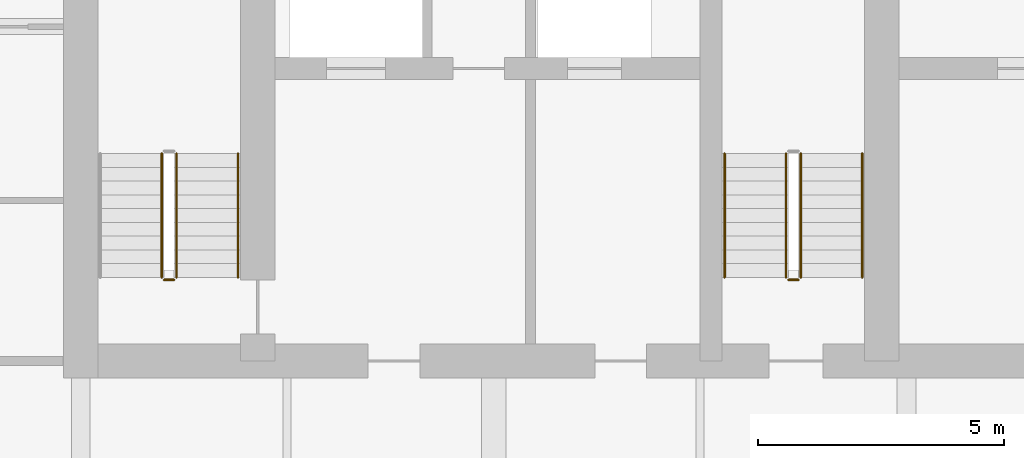
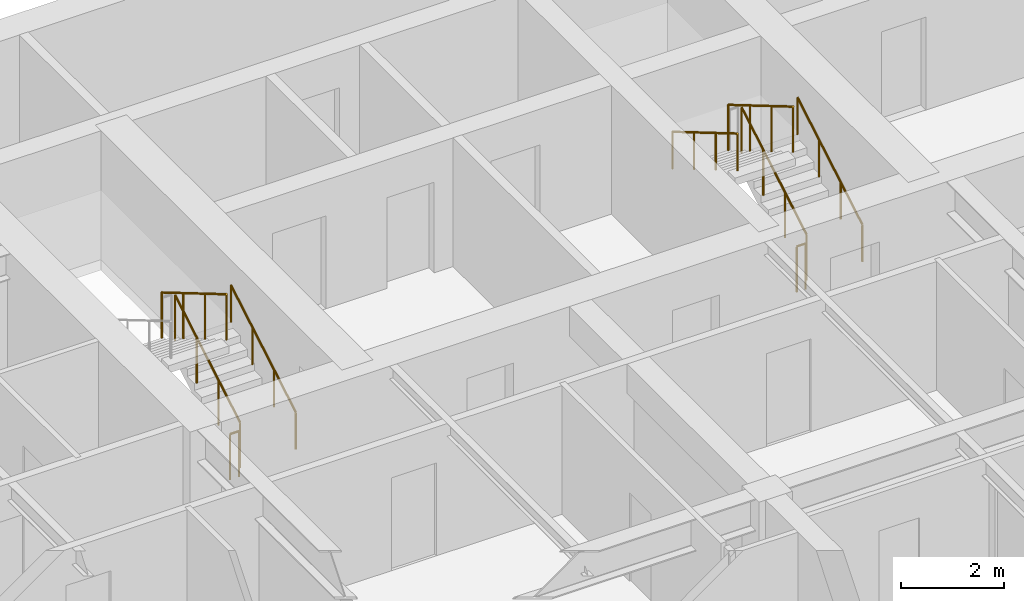
# One storey, part 14 of 17: 9 railings.
"""IFC4 building model written with IfcOpenShell, lengths in metres."""

from ifc_helpers import new_model, si_unit, direction, frame, origin, origin_2d, place, context, subcontext, project, spatial, circle, extrude, material, type_object, element, save


model = new_model("IFC4")

# Units and contexts
model_context = context("Model", 3, precision=1e-05, world=origin(), true_north=direction((0.0, 1.0)))
body_context = subcontext(model_context, "Body", "Model", "MODEL_VIEW")
ifc_project = project(units=[si_unit("LENGTHUNIT", "METRE"), si_unit("AREAUNIT", "SQUARE_METRE"), si_unit("VOLUMEUNIT", "CUBIC_METRE"), si_unit("PLANEANGLEUNIT", "RADIAN"), si_unit("MASSUNIT", "GRAM", prefix="KILO")], contexts=[model_context])

# Site, building, storey
site_placement = place(None, origin())
site = spatial("IfcSite", under=ifc_project, at=site_placement, CompositionType="ELEMENT")
building_placement = place(site_placement, origin())
building = spatial("IfcBuilding", under=site, at=building_placement, Name="Caelmar Bay Residences", CompositionType="ELEMENT")
storey_placement = place(building_placement, frame((0.0, 0.0, 226.5)))
storey = spatial("IfcBuildingStorey", under=building, at=storey_placement, Name="L63", CompositionType="ELEMENT", Elevation=226.5)

# Railings
ifc_material_1 = material(Name="Painted galvanized steel stair guard 1100 mm", Category="steel")
railing_type_1 = type_object("IfcRailingType", Name="RL-GRD-1100", PredefinedType="GUARDRAIL", material=ifc_material_1)
railing_1_placement = place(storey_placement, frame((20.25, 38.699951171875, 0.1650390625)))
element("IfcRailing", 1, at=railing_1_placement, inside=storey, type_object=railing_type_1, Name="L63 ST1 stair guard 1", PredefinedType="GUARDRAIL", context=body_context, shape_type="SweptSolid", body=[
    extrude(circle(Radius=0.02392578125, at=origin_2d()), frame((0.0, 0.0, 1.076171875), z_axis=(0.0, 0.861560626758, 0.507654692109), x_axis=(-1.0, 0.0, 0.0)), (0.0, 0.0, 1.0), 2.925048828125),
    extrude(circle(Radius=0.02099609375, at=origin_2d()), origin(), (0.0, 0.0, 1.0), 1.052001953125),
    extrude(circle(Radius=0.02099609375, at=origin_2d()), frame((0.0, 0.840087890625, 0.494873046875)), (0.0, 0.0, 1.0), 1.052001953125),
    extrude(circle(Radius=0.02099609375, at=origin_2d()), frame((0.0, 1.679931640625, 0.989990234375)), (0.0, 0.0, 1.0), 1.052001953125),
    extrude(circle(Radius=0.02099609375, at=origin_2d()), frame((0.0, 2.52001953125, 1.48486328125)), (0.0, 0.0, 1.0), 1.052001953125),
])
railing_2_placement = place(storey_placement, frame((19.949951171875, 41.219970703125, 1.81494140625)))
element("IfcRailing", 2, at=railing_2_placement, inside=storey, type_object=railing_type_1, Name="L63 ST1 stair guard 3", PredefinedType="GUARDRAIL", context=body_context, shape_type="SweptSolid", body=[
    extrude(circle(Radius=0.02392578125, at=origin_2d()), frame((0.0, 0.0, 1.076171875), z_axis=(0.0, -0.86152411907, 0.507716645641), x_axis=(1.0, 0.0, 0.0)), (0.0, 0.0, 1.0), 2.925048828125),
    extrude(circle(Radius=0.02099609375, at=origin_2d()), origin(), (0.0, 0.0, 1.0), 1.052001953125),
    extrude(circle(Radius=0.02099609375, at=origin_2d()), frame((0.0, -0.840087890625, 0.4951171875)), (0.0, 0.0, 1.0), 1.052001953125),
    extrude(circle(Radius=0.02099609375, at=origin_2d()), frame((0.0, -1.679931640625, 0.989990234375)), (0.0, 0.0, 1.0), 1.052001953125),
    extrude(circle(Radius=0.02099609375, at=origin_2d()), frame((0.0, -2.52001953125, 1.485107421875)), (0.0, 0.0, 1.0), 1.052001953125),
])
railing_3_placement = place(storey_placement, frame((20.199951171875, 38.64990234375, 0.0)))
element("IfcRailing", 3, at=railing_3_placement, inside=storey, type_object=railing_type_1, Name="L63 ST1 stair guard 4", PredefinedType="GUARDRAIL", context=body_context, shape_type="SweptSolid", body=[
    extrude(circle(Radius=0.02392578125, at=origin_2d()), frame((0.0, 0.0, 1.076171875), z_axis=(-1.0, 0.0, 0.0), x_axis=(0.0, -1.0, 0.0)), (0.0, 0.0, 1.0), 0.199951171875),
    extrude(circle(Radius=0.02099609375, at=origin_2d()), origin(), (0.0, 0.0, 1.0), 1.052001953125),
    extrude(circle(Radius=0.02099609375, at=origin_2d()), frame((-0.199951171875, 0.0, 0.0)), (0.0, 0.0, 1.0), 1.052001953125),
])
railing_4_placement = place(storey_placement, frame((32.949951171875, 38.699951171875, 0.1650390625)))
element("IfcRailing", 4, at=railing_4_placement, inside=storey, type_object=railing_type_1, Name="L63 ST3 stair guard 1", PredefinedType="GUARDRAIL", context=body_context, shape_type="SweptSolid", body=[
    extrude(circle(Radius=0.02392578125, at=origin_2d()), frame((0.0, 0.0, 1.076171875), z_axis=(0.0, 0.861560626758, 0.507654692109), x_axis=(-1.0, 0.0, 0.0)), (0.0, 0.0, 1.0), 2.925048828125),
    extrude(circle(Radius=0.02099609375, at=origin_2d()), origin(), (0.0, 0.0, 1.0), 1.052001953125),
    extrude(circle(Radius=0.02099609375, at=origin_2d()), frame((0.0, 0.840087890625, 0.494873046875)), (0.0, 0.0, 1.0), 1.052001953125),
    extrude(circle(Radius=0.02099609375, at=origin_2d()), frame((0.0, 1.679931640625, 0.989990234375)), (0.0, 0.0, 1.0), 1.052001953125),
    extrude(circle(Radius=0.02099609375, at=origin_2d()), frame((0.0, 2.52001953125, 1.48486328125)), (0.0, 0.0, 1.0), 1.052001953125),
])
railing_5_placement = place(storey_placement, frame((32.64990234375, 41.219970703125, 1.81494140625)))
element("IfcRailing", 5, at=railing_5_placement, inside=storey, type_object=railing_type_1, Name="L63 ST3 stair guard 3", PredefinedType="GUARDRAIL", context=body_context, shape_type="SweptSolid", body=[
    extrude(circle(Radius=0.02392578125, at=origin_2d()), frame((0.0, 0.0, 1.076171875), z_axis=(0.0, -0.86152411907, 0.507716645641), x_axis=(1.0, 0.0, 0.0)), (0.0, 0.0, 1.0), 2.925048828125),
    extrude(circle(Radius=0.02099609375, at=origin_2d()), origin(), (0.0, 0.0, 1.0), 1.052001953125),
    extrude(circle(Radius=0.02099609375, at=origin_2d()), frame((0.0, -0.840087890625, 0.4951171875)), (0.0, 0.0, 1.0), 1.052001953125),
    extrude(circle(Radius=0.02099609375, at=origin_2d()), frame((0.0, -1.679931640625, 0.989990234375)), (0.0, 0.0, 1.0), 1.052001953125),
    extrude(circle(Radius=0.02099609375, at=origin_2d()), frame((0.0, -2.52001953125, 1.485107421875)), (0.0, 0.0, 1.0), 1.052001953125),
])
railing_6_placement = place(storey_placement, frame((32.89990234375, 38.64990234375, 0.0)))
element("IfcRailing", 6, at=railing_6_placement, inside=storey, type_object=railing_type_1, Name="L63 ST3 stair guard 4", PredefinedType="GUARDRAIL", context=body_context, shape_type="SweptSolid", body=[
    extrude(circle(Radius=0.02392578125, at=origin_2d()), frame((0.0, 0.0, 1.076171875), z_axis=(-1.0, 0.0, 0.0), x_axis=(0.0, -1.0, 0.0)), (0.0, 0.0, 1.0), 0.199951171875),
    extrude(circle(Radius=0.02099609375, at=origin_2d()), origin(), (0.0, 0.0, 1.0), 1.052001953125),
    extrude(circle(Radius=0.02099609375, at=origin_2d()), frame((-0.199951171875, 0.0, 0.0)), (0.0, 0.0, 1.0), 1.052001953125),
])
ifc_material_2 = material(Name="Brushed bronze stainless-steel tubular handrail 900 mm", Category="steel")
railing_type_2 = type_object("IfcRailingType", Name="RL-HND-900", PredefinedType="HANDRAIL", material=ifc_material_2)
for number, where, name in (
    (7, (21.5, 38.699951171875, 0.1650390625), "L63 ST1 stair handrail 1"),
    (8, (34.199951171875, 38.699951171875, 0.1650390625), "L63 ST3 stair handrail 1"),
):
    element("IfcRailing", number, at=place(storey_placement, frame(where)), inside=storey, type_object=railing_type_2, Name=name, PredefinedType="HANDRAIL", context=body_context, shape_type="SweptSolid", body=[
        extrude(circle(Radius=0.02392578125, at=origin_2d()), frame((0.0, 0.0, 0.8759765625), z_axis=(0.0, 0.861560626758, 0.507654692109), x_axis=(-1.0, 0.0, 0.0)), (0.0, 0.0, 1.0), 2.925048828125),
        extrude(circle(Radius=0.02099609375, at=origin_2d()), origin(), (0.0, 0.0, 1.0), 0.851806640625),
        extrude(circle(Radius=0.02099609375, at=origin_2d()), frame((0.0, 0.840087890625, 0.494873046875)), (0.0, 0.0, 1.0), 0.851806640625),
        extrude(circle(Radius=0.02099609375, at=origin_2d()), frame((0.0, 1.679931640625, 0.989990234375)), (0.0, 0.0, 1.0), 0.851806640625),
        extrude(circle(Radius=0.02099609375, at=origin_2d()), frame((0.0, 2.52001953125, 1.48486328125)), (0.0, 0.0, 1.0), 0.851806640625),
    ])
railing_7_placement = place(storey_placement, frame((31.39990234375, 41.219970703125, 1.81494140625)))
element("IfcRailing", 9, at=railing_7_placement, inside=storey, type_object=railing_type_2, Name="L63 ST3 stair handrail 2", PredefinedType="HANDRAIL", context=body_context, shape_type="SweptSolid", body=[
    extrude(circle(Radius=0.02392578125, at=origin_2d()), frame((0.0, 0.0, 0.8759765625), z_axis=(0.0, -0.86152411907, 0.507716645641), x_axis=(1.0, 0.0, 0.0)), (0.0, 0.0, 1.0), 2.925048828125),
    extrude(circle(Radius=0.02099609375, at=origin_2d()), origin(), (0.0, 0.0, 1.0), 0.851806640625),
    extrude(circle(Radius=0.02099609375, at=origin_2d()), frame((0.0, -0.840087890625, 0.4951171875)), (0.0, 0.0, 1.0), 0.851806640625),
    extrude(circle(Radius=0.02099609375, at=origin_2d()), frame((0.0, -1.679931640625, 0.989990234375)), (0.0, 0.0, 1.0), 0.851806640625),
    extrude(circle(Radius=0.02099609375, at=origin_2d()), frame((0.0, -2.52001953125, 1.485107421875)), (0.0, 0.0, 1.0), 0.851806640625),
])

save(model, "model.ifc")
